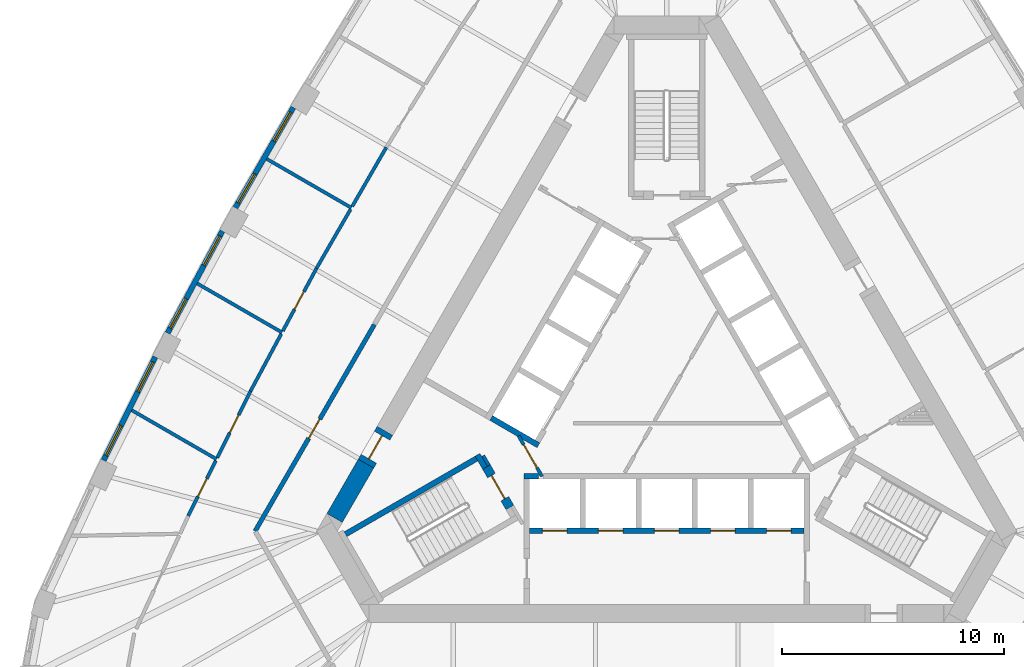
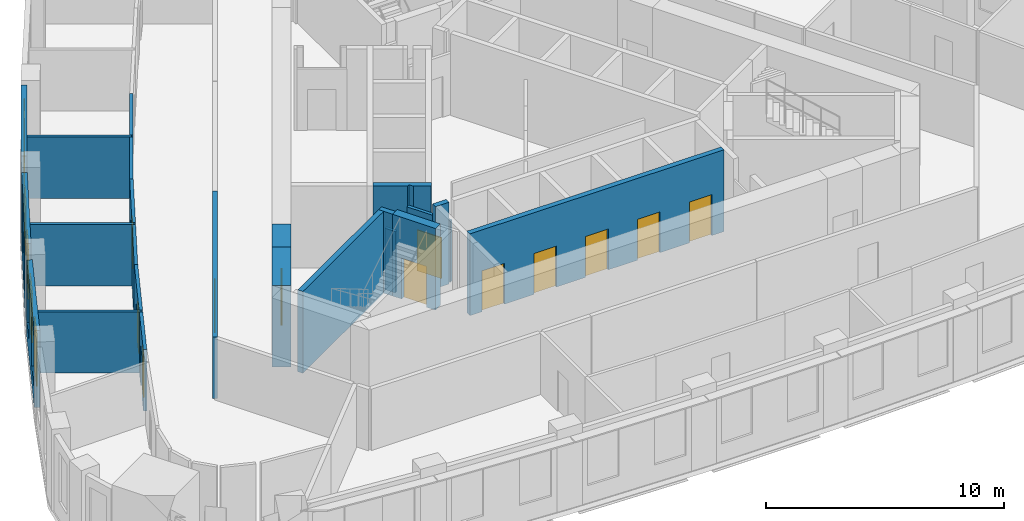
# One storey, part 4 of 11: 23 walls, 12 doors, 6 windows, 18 openings.
"""IFC4 building model written with IfcOpenShell, lengths in metres."""

from ifc_helpers import new_model, si_unit, direction, frame, frame_2d, origin, place, context, subcontext, project, spatial, polyline, rectangle, outline, extrude, material, layer, layer_set, type_object, element, fill, save


model = new_model("IFC4")

# Units and contexts
model_context = context("Model", 3, precision=1e-05, world=origin(), true_north=direction((0.0, 1.0)))
body_context = subcontext(model_context, "Body", "Model", "MODEL_VIEW")
ifc_project = project(units=[si_unit("LENGTHUNIT", "METRE"), si_unit("AREAUNIT", "SQUARE_METRE"), si_unit("VOLUMEUNIT", "CUBIC_METRE"), si_unit("PLANEANGLEUNIT", "RADIAN"), si_unit("MASSUNIT", "GRAM", prefix="KILO")], contexts=[model_context])

# Site, building, storey
site_placement = place(None, origin())
site = spatial("IfcSite", under=ifc_project, at=site_placement, CompositionType="ELEMENT")
building_placement = place(site_placement, origin())
building = spatial("IfcBuilding", under=site, at=building_placement, Name="Mestral Congress Tower", CompositionType="ELEMENT")
storey_placement = place(building_placement, frame((0.0, 0.0, 171.0)))
storey = spatial("IfcBuildingStorey", under=building, at=storey_placement, Name="L40", CompositionType="ELEMENT", Elevation=171.0)

# Wall
ifc_material_1 = material(Name="Fire-rated board partition")
ifc_layer_1 = layer(ifc_material_1, 0.14990234375)
ifc_layer_set_1 = layer_set([ifc_layer_1], Name="Fire-rated board partition")
wall_type_1 = type_object("IfcWallType", Name="Core partition 150", PredefinedType="PARTITIONING", material=ifc_layer_set_1)
wall_1_placement = place(storey_placement, frame((-8.251953125, -2.958251953125, 0.0), z_axis=(0.0, 0.0, 1.0), x_axis=(0.500174715838, -0.865924508047, 0.0)))
element("IfcWall", 1, at=wall_1_placement, inside=storey, type_object=wall_type_1, Name="L40 core wall", PredefinedType="PARTITIONING", context=body_context, shape_type="SweptSolid", body=[
    extrude(rectangle(XDim=0.513916015625, YDim=0.14990234375, at=frame_2d((0.2568359375, 0.0))), origin(), (0.0, 0.0, 1.0), 3.14990234375),
])

# Wall, opening, door
wall_2_placement = place(storey_placement, frame((-5.606201171875, -3.8896484375, 0.0), z_axis=(0.0, 0.0, 1.0), x_axis=(-0.500027713859, 0.866009402589, 0.0)))
wall_2 = element("IfcWall", 2, at=wall_2_placement, inside=storey, type_object=wall_type_1, Name="L40 door wall", PredefinedType="PARTITIONING", context=body_context, shape_type="SweptSolid", body=[
    extrude(rectangle(XDim=2.10009765625, YDim=0.14990234375, at=frame_2d((1.050048828125, 0.0))), origin(), (0.0, 0.0, 1.0), 3.14990234375),
])
opening_1_placement = place(wall_2_placement, frame((0.449951171875, 0.0, 0.0)))
opening_1 = element("IfcOpeningElement", 3, at=opening_1_placement, cuts=wall_2, Name="Opening CD3-FF", PredefinedType="OPENING", context=body_context, shape_type="SweptSolid", body=[
    extrude(rectangle(XDim=1.199951171875, YDim=2.10009765625, at=frame_2d((0.60009765625, 1.050048828125))), frame((0.0, 0.0849609375, 0.0), z_axis=(0.0, -1.0, 0.0), x_axis=(1.0, 0.0, 0.0)), (0.0, 0.0, 1.0), 0.169921875),
])
ifc_material_2 = material(Name="Fire-rated steel door set", Category="steel")
door_type_1 = type_object("IfcDoorType", Name="Core door CD 1200x2100", OperationType="SINGLE_SWING_LEFT", PredefinedType="DOOR", material=ifc_material_2)
door_1_placement = place(opening_1_placement, origin())
door_1 = element("IfcDoor", 4, at=door_1_placement, inside=storey, type_object=door_type_1, Name="Door CD3-FF", OperationType="SINGLE_SWING_LEFT", OverallHeight=2.10009765625, OverallWidth=1.199951171875, PredefinedType="DOOR", context=body_context, shape_type="SweptSolid", body=[
    extrude(rectangle(XDim=1.199951171875, YDim=2.10009765625, at=frame_2d((0.60009765625, 1.050048828125))), frame((0.0, 0.02490234375, 0.0), z_axis=(0.0, -1.0, 0.0), x_axis=(1.0, 0.0, 0.0)), (0.0, 0.0, 1.0), 0.050048828125),
])
fill(opening_1, door_1)

# Wall
ifc_material_3 = material(Name="Concrete C60/75", Category="concrete")
ifc_layer_2 = layer(ifc_material_3, 0.800048828125)
ifc_layer_set_2 = layer_set([ifc_layer_2], Name="Concrete C60/75")
wall_type_2 = type_object("IfcWallType", Name="Core wall RC 800", PredefinedType="SOLIDWALL", material=ifc_layer_set_2)
wall_3_placement = place(storey_placement, frame((-13.518310546875, -3.314208984375, 0.0), z_axis=(0.0, 0.0, 1.0), x_axis=(-0.499969377405, -0.866043083026, 0.0)))
element("IfcWall", 5, at=wall_3_placement, inside=storey, type_object=wall_type_2, Name="L40 core wall", PredefinedType="SOLIDWALL", context=body_context, shape_type="SweptSolid", body=[
    extrude(rectangle(XDim=2.824462890625, YDim=0.800048828125, at=frame_2d((1.412109375, 0.0))), origin(), (0.0, 0.0, 1.0), 4.199951171875),
])

# Wall, opening, door
wall_4_placement = place(storey_placement, frame((-13.518310546875, -3.314208984375, 0.0), z_axis=(0.0, 0.0, 1.0), x_axis=(0.500000056704, 0.866025371046, 0.0)))
wall_4 = element("IfcWall", 6, at=wall_4_placement, inside=storey, type_object=wall_type_2, Name="L40 door wall", PredefinedType="SOLIDWALL", context=body_context, shape_type="SweptSolid", body=[
    extrude(rectangle(XDim=1.7001953125, YDim=0.800048828125, at=frame_2d((0.85009765625, 0.0))), origin(), (0.0, 0.0, 1.0), 4.199951171875),
])
opening_2_placement = place(wall_4_placement, frame((0.25, 0.0, 0.0)))
opening_2 = element("IfcOpeningElement", 7, at=opening_2_placement, cuts=wall_4, Name="Opening XD3", PredefinedType="OPENING", context=body_context, shape_type="SweptSolid", body=[
    extrude(rectangle(XDim=1.199951171875, YDim=2.10009765625, at=frame_2d((0.60009765625, 1.050048828125))), frame((0.0, 0.409912109375, 0.0), z_axis=(0.0, -1.0, 0.0), x_axis=(1.0, 0.0, 0.0)), (0.0, 0.0, 1.0), 0.820068359375),
])
door_type_2 = type_object("IfcDoorType", Name="Core door XD 1200x2100", OperationType="SINGLE_SWING_LEFT", PredefinedType="DOOR", material=ifc_material_2)
door_2_placement = place(opening_2_placement, origin())
door_2 = element("IfcDoor", 8, at=door_2_placement, inside=storey, type_object=door_type_2, Name="Door XD3", OperationType="SINGLE_SWING_LEFT", OverallHeight=2.10009765625, OverallWidth=1.199951171875, PredefinedType="DOOR", context=body_context, shape_type="SweptSolid", body=[
    extrude(rectangle(XDim=1.199951171875, YDim=2.10009765625, at=frame_2d((0.60009765625, 1.050048828125))), frame((0.0, 0.02490234375, 0.0), z_axis=(0.0, -1.0, 0.0), x_axis=(1.0, 0.0, 0.0)), (0.0, 0.0, 1.0), 0.050048828125),
])
fill(opening_2, door_2)

# Wall, openings, windows
ifc_material_4 = material(Name="Precast concrete C40/50 with limestone facing", Category="masonry")
ifc_layer_3 = layer(ifc_material_4, 0.239990234375)
ifc_layer_set_3 = layer_set([ifc_layer_3], Name="Precast concrete C40/50 with limestone facing")
wall_type_3 = type_object("IfcWallType", Name="Facade stone wall 240", PredefinedType="SOLIDWALL", material=ifc_layer_set_3)
wall_5_placement = place(storey_placement, frame((-16.788818359375, 12.697265625, 0.0), z_axis=(0.0, 0.0, 1.0), x_axis=(-0.500009456303, -0.866019944116, 0.0)))
wall_5 = element("IfcWall", 9, at=wall_5_placement, inside=storey, type_object=wall_type_3, Name="Facade wall F2-03", PredefinedType="SOLIDWALL", context=body_context, shape_type="SweptSolid", body=[
    extrude(rectangle(XDim=5.20361328125, YDim=0.239990234375, at=frame_2d((2.601806640625, 0.0))), origin(), (0.0, 0.0, 1.0), 3.949951171875),
])
opening_3_placement = place(wall_5_placement, frame((0.248291015625, 0.0, 0.89990234375)))
opening_3 = element("IfcOpeningElement", 10, at=opening_3_placement, cuts=wall_5, Name="Opening W4", PredefinedType="OPENING", context=body_context, shape_type="SweptSolid", body=[
    extrude(rectangle(XDim=1.5, YDim=2.550048828125, at=frame_2d((0.75, 1.27490234375))), frame((0.0, 0.1298828125, 0.0), z_axis=(0.0, -1.0, 0.0), x_axis=(1.0, 0.0, 0.0)), (0.0, 0.0, 1.0), 0.260009765625),
])
opening_4_placement = place(wall_5_placement, frame((3.455078125, 0.0, 0.89990234375)))
opening_4 = element("IfcOpeningElement", 11, at=opening_4_placement, cuts=wall_5, Name="Opening W4", PredefinedType="OPENING", context=body_context, shape_type="SweptSolid", body=[
    extrude(rectangle(XDim=1.5, YDim=2.550048828125, at=frame_2d((0.75, 1.27490234375))), frame((0.0, 0.1298828125, 0.0), z_axis=(0.0, -1.0, 0.0), x_axis=(1.0, 0.0, 0.0)), (0.0, 0.0, 1.0), 0.260009765625),
])
ifc_material_5 = material(Name="Clear low-emissivity double glazing", Category="glass")
window_type = type_object("IfcWindowType", Name="Facade punched window 1500 x 2550 sill 900", PartitioningType="SINGLE_PANEL", PredefinedType="WINDOW", material=ifc_material_5)
window_1_placement = place(opening_3_placement, origin())
window_1 = element("IfcWindow", 12, at=window_1_placement, inside=storey, type_object=window_type, Name="Window F2-03a", OverallHeight=2.550048828125, OverallWidth=1.5, PartitioningType="SINGLE_PANEL", PredefinedType="WINDOW", context=body_context, shape_type="SweptSolid", body=[
    extrude(rectangle(XDim=1.5, YDim=2.550048828125, at=frame_2d((0.75, 1.27490234375))), frame((0.0, 0.0400390625, 0.0), z_axis=(0.0, -1.0, 0.0), x_axis=(1.0, 0.0, 0.0)), (0.0, 0.0, 1.0), 0.06005859375),
])
fill(opening_3, window_1)
window_2_placement = place(opening_4_placement, origin())
window_2 = element("IfcWindow", 13, at=window_2_placement, inside=storey, type_object=window_type, Name="Window F2-03b", OverallHeight=2.550048828125, OverallWidth=1.5, PartitioningType="SINGLE_PANEL", PredefinedType="WINDOW", context=body_context, shape_type="SweptSolid", body=[
    extrude(rectangle(XDim=1.5, YDim=2.550048828125, at=frame_2d((0.75, 1.27490234375))), frame((0.0, 0.0400390625, 0.0), z_axis=(0.0, -1.0, 0.0), x_axis=(1.0, 0.0, 0.0)), (0.0, 0.0, 1.0), 0.06005859375),
])
fill(opening_4, window_2)

wall_6_placement = place(storey_placement, frame((-19.976806640625, 7.138671875, 0.0), z_axis=(0.0, 0.0, 1.0), x_axis=(-0.473349833294, -0.880874528704, 0.0)))
wall_6 = element("IfcWall", 14, at=wall_6_placement, inside=storey, type_object=wall_type_3, Name="Facade wall F2-04", PredefinedType="SOLIDWALL", context=body_context, shape_type="SweptSolid", body=[
    extrude(rectangle(XDim=5.20361328125, YDim=0.239990234375, at=frame_2d((2.601806640625, 0.0))), origin(), (0.0, 0.0, 1.0), 3.949951171875),
])
opening_5_placement = place(wall_6_placement, frame((0.248291015625, 0.0, 0.89990234375)))
opening_5 = element("IfcOpeningElement", 15, at=opening_5_placement, cuts=wall_6, Name="Opening W4", PredefinedType="OPENING", context=body_context, shape_type="SweptSolid", body=[
    extrude(rectangle(XDim=1.5, YDim=2.550048828125, at=frame_2d((0.75, 1.27490234375))), frame((0.0, 0.1298828125, 0.0), z_axis=(0.0, -1.0, 0.0), x_axis=(1.0, 0.0, 0.0)), (0.0, 0.0, 1.0), 0.260009765625),
])
opening_6_placement = place(wall_6_placement, frame((3.455078125, 0.0, 0.89990234375)))
opening_6 = element("IfcOpeningElement", 16, at=opening_6_placement, cuts=wall_6, Name="Opening W4", PredefinedType="OPENING", context=body_context, shape_type="SweptSolid", body=[
    extrude(rectangle(XDim=1.5, YDim=2.550048828125, at=frame_2d((0.75, 1.27490234375))), frame((0.0, 0.1298828125, 0.0), z_axis=(0.0, -1.0, 0.0), x_axis=(1.0, 0.0, 0.0)), (0.0, 0.0, 1.0), 0.260009765625),
])
window_3_placement = place(opening_5_placement, origin())
window_3 = element("IfcWindow", 17, at=window_3_placement, inside=storey, type_object=window_type, Name="Window F2-04a", OverallHeight=2.550048828125, OverallWidth=1.5, PartitioningType="SINGLE_PANEL", PredefinedType="WINDOW", context=body_context, shape_type="SweptSolid", body=[
    extrude(rectangle(XDim=1.5, YDim=2.550048828125, at=frame_2d((0.75, 1.27490234375))), frame((0.0, 0.0400390625, 0.0), z_axis=(0.0, -1.0, 0.0), x_axis=(1.0, 0.0, 0.0)), (0.0, 0.0, 1.0), 0.06005859375),
])
fill(opening_5, window_3)
window_4_placement = place(opening_6_placement, origin())
window_4 = element("IfcWindow", 18, at=window_4_placement, inside=storey, type_object=window_type, Name="Window F2-04b", OverallHeight=2.550048828125, OverallWidth=1.5, PartitioningType="SINGLE_PANEL", PredefinedType="WINDOW", context=body_context, shape_type="SweptSolid", body=[
    extrude(rectangle(XDim=1.5, YDim=2.550048828125, at=frame_2d((0.75, 1.27490234375))), frame((0.0, 0.0400390625, 0.0), z_axis=(0.0, -1.0, 0.0), x_axis=(1.0, 0.0, 0.0)), (0.0, 0.0, 1.0), 0.06005859375),
])
fill(opening_6, window_4)

wall_7_placement = place(storey_placement, frame((-22.993896484375, 1.485107421875, 0.0), z_axis=(0.0, 0.0, 1.0), x_axis=(-0.446256171312, -0.8949052629, 0.0)))
wall_7 = element("IfcWall", 19, at=wall_7_placement, inside=storey, type_object=wall_type_3, Name="Facade wall F2-05", PredefinedType="SOLIDWALL", context=body_context, shape_type="SweptSolid", body=[
    extrude(rectangle(XDim=5.203369140625, YDim=0.239990234375, at=frame_2d((2.6015625, 0.0))), origin(), (0.0, 0.0, 1.0), 3.949951171875),
])
opening_7_placement = place(wall_7_placement, frame((0.248291015625, 0.0, 0.89990234375)))
opening_7 = element("IfcOpeningElement", 20, at=opening_7_placement, cuts=wall_7, Name="Opening W4", PredefinedType="OPENING", context=body_context, shape_type="SweptSolid", body=[
    extrude(rectangle(XDim=1.5, YDim=2.550048828125, at=frame_2d((0.75, 1.27490234375))), frame((0.0, 0.1298828125, 0.0), z_axis=(0.0, -1.0, 0.0), x_axis=(1.0, 0.0, 0.0)), (0.0, 0.0, 1.0), 0.260009765625),
])
opening_8_placement = place(wall_7_placement, frame((3.455078125, 0.0, 0.89990234375)))
opening_8 = element("IfcOpeningElement", 21, at=opening_8_placement, cuts=wall_7, Name="Opening W4", PredefinedType="OPENING", context=body_context, shape_type="SweptSolid", body=[
    extrude(rectangle(XDim=1.5, YDim=2.550048828125, at=frame_2d((0.75, 1.27490234375))), frame((0.0, 0.1298828125, 0.0), z_axis=(0.0, -1.0, 0.0), x_axis=(1.0, 0.0, 0.0)), (0.0, 0.0, 1.0), 0.260009765625),
])
window_5_placement = place(opening_7_placement, origin())
window_5 = element("IfcWindow", 22, at=window_5_placement, inside=storey, type_object=window_type, Name="Window F2-05a", OverallHeight=2.550048828125, OverallWidth=1.5, PartitioningType="SINGLE_PANEL", PredefinedType="WINDOW", context=body_context, shape_type="SweptSolid", body=[
    extrude(rectangle(XDim=1.5, YDim=2.550048828125, at=frame_2d((0.75, 1.27490234375))), frame((0.0, 0.0400390625, 0.0), z_axis=(0.0, -1.0, 0.0), x_axis=(1.0, 0.0, 0.0)), (0.0, 0.0, 1.0), 0.06005859375),
])
fill(opening_7, window_5)
window_6_placement = place(opening_8_placement, origin())
window_6 = element("IfcWindow", 23, at=window_6_placement, inside=storey, type_object=window_type, Name="Window F2-05b", OverallHeight=2.550048828125, OverallWidth=1.5, PartitioningType="SINGLE_PANEL", PredefinedType="WINDOW", context=body_context, shape_type="SweptSolid", body=[
    extrude(rectangle(XDim=1.5, YDim=2.550048828125, at=frame_2d((0.75, 1.27490234375))), frame((0.0, 0.0400390625, 0.0), z_axis=(0.0, -1.0, 0.0), x_axis=(1.0, 0.0, 0.0)), (0.0, 0.0, 1.0), 0.06005859375),
])
fill(opening_8, window_6)

# Walls
ifc_material_6 = material(Name="Plasterboard partition on steel studs", Category="steel")
ifc_layer_4 = layer(ifc_material_6, 0.14990234375)
ifc_layer_set_4 = layer_set([ifc_layer_4], Name="Plasterboard partition on steel studs")
wall_type_4 = type_object("IfcWallType", Name="Office partition 150", PredefinedType="PARTITIONING", material=ifc_layer_set_4)
wall_8_placement = place(storey_placement, frame((-14.17529296875, 8.18408203125, 0.0), z_axis=(0.0, 0.0, 1.0), x_axis=(-0.866032203192, 0.499988222896, 0.0)))
element("IfcWall", 24, at=wall_8_placement, inside=storey, type_object=wall_type_4, Name="Partition", PredefinedType="PARTITIONING", context=body_context, shape_type="SweptSolid", body=[
    extrude(rectangle(XDim=4.39990234375, YDim=0.14990234375, at=frame_2d((2.199951171875, 0.0))), origin(), (0.0, 0.0, 1.0), 3.14990234375),
])
wall_9_placement = place(storey_placement, frame((-12.607666015625, 10.899169921875, 0.0), z_axis=(0.0, 0.0, 1.0), x_axis=(-0.499991792115, -0.866030142557, 0.0)))
element("IfcWall", 25, at=wall_9_placement, inside=storey, type_object=wall_type_4, Name="Partition", PredefinedType="PARTITIONING", context=body_context, shape_type="SweptSolid", body=[
    extrude(rectangle(XDim=3.06005859375, YDim=0.14990234375, at=frame_2d((1.530029296875, 0.0))), origin(), (0.0, 0.0, 1.0), 3.14990234375),
])
wall_10_placement = place(storey_placement, frame((-17.294677734375, 2.5810546875, 0.0), z_axis=(0.0, 0.0, 1.0), x_axis=(-0.866033195618, 0.499986503906, 0.0)))
element("IfcWall", 26, at=wall_10_placement, inside=storey, type_object=wall_type_4, Name="Partition", PredefinedType="PARTITIONING", context=body_context, shape_type="SweptSolid", body=[
    extrude(rectangle(XDim=4.40185546875, YDim=0.14990234375, at=frame_2d((2.200927734375, 0.0))), origin(), (0.0, 0.0, 1.0), 3.14990234375),
])
wall_11_placement = place(storey_placement, frame((-14.212890625, 8.119140625, 0.0), z_axis=(0.0, 0.0, 1.0), x_axis=(-0.499991792115, -0.866030142557, 0.0)))
element("IfcWall", 27, at=wall_11_placement, inside=storey, type_object=wall_type_4, Name="Partition", PredefinedType="PARTITIONING", context=body_context, shape_type="SweptSolid", body=[
    extrude(rectangle(XDim=3.06005859375, YDim=0.14990234375, at=frame_2d((1.530029296875, 0.0))), origin(), (0.0, 0.0, 1.0), 3.14990234375),
])

# Wall, opening, door
wall_12_placement = place(storey_placement, frame((-17.259033203125, 2.647216796875, 0.0), z_axis=(0.0, 0.0, 1.0), x_axis=(0.473299711777, 0.880901460341, 0.0)))
wall_12 = element("IfcWall", 28, at=wall_12_placement, inside=storey, type_object=wall_type_4, Name="Partition", PredefinedType="PARTITIONING", context=body_context, shape_type="SweptSolid", body=[
    extrude(rectangle(XDim=3.203369140625, YDim=0.14990234375, at=frame_2d((1.6015625, 0.0))), origin(), (0.0, 0.0, 1.0), 3.14990234375),
])
opening_9_placement = place(wall_12_placement, frame((1.103515625, 0.0, 0.0)))
opening_9 = element("IfcOpeningElement", 29, at=opening_9_placement, cuts=wall_12, Name="Opening O03-017", PredefinedType="OPENING", context=body_context, shape_type="SweptSolid", body=[
    extrude(rectangle(XDim=0.89990234375, YDim=2.10009765625, at=frame_2d((0.449951171875, 1.050048828125))), frame((0.0, 0.0849609375, 0.0), z_axis=(0.0, -1.0, 0.0), x_axis=(1.0, 0.0, 0.0)), (0.0, 0.0, 1.0), 0.169921875),
])
ifc_material_7 = material(Name="Timber door set", Category="wood")
door_type_3 = type_object("IfcDoorType", Name="Office door 900x2100", OperationType="SINGLE_SWING_LEFT", PredefinedType="DOOR", material=ifc_material_7)
door_3_placement = place(opening_9_placement, origin())
door_3 = element("IfcDoor", 30, at=door_3_placement, inside=storey, type_object=door_type_3, Name="Door O03-017", OperationType="SINGLE_SWING_LEFT", OverallHeight=2.10009765625, OverallWidth=0.89990234375, PredefinedType="DOOR", context=body_context, shape_type="SweptSolid", body=[
    extrude(rectangle(XDim=0.89990234375, YDim=2.10009765625, at=frame_2d((0.449951171875, 1.050048828125))), frame((0.0, 0.02490234375, 0.0), z_axis=(0.0, -1.0, 0.0), x_axis=(1.0, 0.0, 0.0)), (0.0, 0.0, 1.0), 0.050048828125),
])
fill(opening_9, door_3)

# Walls
wall_13_placement = place(storey_placement, frame((-20.23779296875, -3.11669921875, 0.0), z_axis=(0.0, 0.0, 1.0), x_axis=(-0.866026031126, 0.499998913411, 0.0)))
element("IfcWall", 31, at=wall_13_placement, inside=storey, type_object=wall_type_4, Name="Partition", PredefinedType="PARTITIONING", context=body_context, shape_type="SweptSolid", body=[
    extrude(rectangle(XDim=4.408203125, YDim=0.14990234375, at=frame_2d((2.2041015625, 0.0))), origin(), (0.0, 0.0, 1.0), 3.14990234375),
])
wall_14_placement = place(storey_placement, frame((-17.330078125, 2.514892578125, 0.0), z_axis=(0.0, 0.0, 1.0), x_axis=(-0.473335958085, -0.880881984595, 0.0)))
element("IfcWall", 32, at=wall_14_placement, inside=storey, type_object=wall_type_4, Name="Partition", PredefinedType="PARTITIONING", context=body_context, shape_type="SweptSolid", body=[
    extrude(rectangle(XDim=2.916748046875, YDim=0.14990234375, at=frame_2d((1.45849609375, 0.0))), origin(), (0.0, 0.0, 1.0), 3.14990234375),
])

# Wall, opening, door
wall_15_placement = place(storey_placement, frame((-20.2041015625, -3.04931640625, 0.0), z_axis=(0.0, 0.0, 1.0), x_axis=(0.446250363478, 0.894908159029, 0.0)))
wall_15 = element("IfcWall", 33, at=wall_15_placement, inside=storey, type_object=wall_type_4, Name="Partition", PredefinedType="PARTITIONING", context=body_context, shape_type="SweptSolid", body=[
    extrude(rectangle(XDim=3.3466796875, YDim=0.14990234375, at=frame_2d((1.67333984375, 0.0))), origin(), (0.0, 0.0, 1.0), 3.14990234375),
])
opening_10_placement = place(wall_15_placement, frame((1.24658203125, 0.0, 0.0)))
opening_10 = element("IfcOpeningElement", 34, at=opening_10_placement, cuts=wall_15, Name="Opening O03-018", PredefinedType="OPENING", context=body_context, shape_type="SweptSolid", body=[
    extrude(rectangle(XDim=0.89990234375, YDim=2.10009765625, at=frame_2d((0.449951171875, 1.050048828125))), frame((0.0, 0.0849609375, 0.0), z_axis=(0.0, -1.0, 0.0), x_axis=(1.0, 0.0, 0.0)), (0.0, 0.0, 1.0), 0.169921875),
])
door_4_placement = place(opening_10_placement, origin())
door_4 = element("IfcDoor", 35, at=door_4_placement, inside=storey, type_object=door_type_3, Name="Door O03-018", OperationType="SINGLE_SWING_RIGHT", OverallHeight=2.10009765625, OverallWidth=0.89990234375, PredefinedType="DOOR", context=body_context, shape_type="SweptSolid", body=[
    extrude(rectangle(XDim=0.89990234375, YDim=2.10009765625, at=frame_2d((0.449951171875, 1.050048828125))), frame((0.0, 0.02490234375, 0.0), z_axis=(0.0, -1.0, 0.0), x_axis=(1.0, 0.0, 0.0)), (0.0, 0.0, 1.0), 0.050048828125),
])
fill(opening_10, door_4)

wall_16_placement = place(storey_placement, frame((-21.5087890625, -5.666015625, 0.0), z_axis=(0.0, 0.0, 1.0), x_axis=(0.446192228952, 0.894937145739, 0.0)))
wall_16 = element("IfcWall", 36, at=wall_16_placement, inside=storey, type_object=wall_type_4, Name="Partition", PredefinedType="PARTITIONING", context=body_context, shape_type="SweptSolid", body=[
    extrude(rectangle(XDim=2.773681640625, YDim=0.14990234375, at=frame_2d((1.38671875, 0.0))), origin(), (0.0, 0.0, 1.0), 3.14990234375),
])
opening_11_placement = place(wall_16_placement, frame((0.973388671875, 0.0, 0.0)))
opening_11 = element("IfcOpeningElement", 37, at=opening_11_placement, cuts=wall_16, Name="Opening O03-019", PredefinedType="OPENING", context=body_context, shape_type="SweptSolid", body=[
    extrude(rectangle(XDim=0.89990234375, YDim=2.10009765625, at=frame_2d((0.449951171875, 1.050048828125))), frame((0.0, 0.0849609375, 0.0), z_axis=(0.0, -1.0, 0.0), x_axis=(1.0, 0.0, 0.0)), (0.0, 0.0, 1.0), 0.169921875),
])
door_5_placement = place(opening_11_placement, origin())
door_5 = element("IfcDoor", 38, at=door_5_placement, inside=storey, type_object=door_type_3, Name="Door O03-019", OperationType="SINGLE_SWING_RIGHT", OverallHeight=2.10009765625, OverallWidth=0.89990234375, PredefinedType="DOOR", context=body_context, shape_type="SweptSolid", body=[
    extrude(rectangle(XDim=0.89990234375, YDim=2.10009765625, at=frame_2d((0.449951171875, 1.050048828125))), frame((0.0, 0.02490234375, 0.0), z_axis=(0.0, -1.0, 0.0), x_axis=(1.0, 0.0, 0.0)), (0.0, 0.0, 1.0), 0.050048828125),
])
fill(opening_11, door_5)

ifc_material_8 = material(Name="Dense masonry wall, plastered", Category="masonry")
ifc_layer_5 = layer(ifc_material_8, 0.199951171875)
ifc_layer_set_5 = layer_set([ifc_layer_5], Name="Dense masonry wall, plastered")
wall_type_5 = type_object("IfcWallType", Name="Office tenancy wall 200", PredefinedType="PARTITIONING", material=ifc_layer_set_5)
wall_17_placement = place(storey_placement, frame((-13.1455078125, 2.931396484375, 0.0), z_axis=(0.0, 0.0, 1.0), x_axis=(-0.499997861235, -0.866026638597, 0.0)))
wall_17 = element("IfcWall", 39, at=wall_17_placement, inside=storey, type_object=wall_type_5, Name="Tenancy wall", PredefinedType="PARTITIONING", context=body_context, shape_type="SweptSolid", body=[
    extrude(rectangle(XDim=10.71728515625, YDim=0.199951171875, at=frame_2d((5.358642578125, 0.0))), origin(), (0.0, 0.0, 1.0), 3.14990234375),
])
opening_12_placement = place(wall_17_placement, frame((4.89990234375, 0.0, 0.0)))
opening_12 = element("IfcOpeningElement", 40, at=opening_12_placement, cuts=wall_17, Name="Opening O03-020", PredefinedType="OPENING", context=body_context, shape_type="SweptSolid", body=[
    extrude(rectangle(XDim=1.0, YDim=2.10009765625, at=frame_2d((0.5, 1.050048828125))), frame((0.0, 0.10986328125, 0.0), z_axis=(0.0, -1.0, 0.0), x_axis=(1.0, 0.0, 0.0)), (0.0, 0.0, 1.0), 0.219970703125),
])
ifc_material_9 = material(Name="Fire-rated timber door set", Category="wood")
door_type_4 = type_object("IfcDoorType", Name="Office tenancy entrance door 1000x2100", OperationType="SINGLE_SWING_LEFT", PredefinedType="DOOR", material=ifc_material_9)
door_6_placement = place(opening_12_placement, origin())
door_6 = element("IfcDoor", 41, at=door_6_placement, inside=storey, type_object=door_type_4, Name="Door O03-020", OperationType="SINGLE_SWING_RIGHT", OverallHeight=2.10009765625, OverallWidth=1.0, PredefinedType="DOOR", context=body_context, shape_type="SweptSolid", body=[
    extrude(rectangle(XDim=1.0, YDim=2.10009765625, at=frame_2d((0.5, 1.050048828125))), frame((0.0, 0.02490234375, 0.0), z_axis=(0.0, -1.0, 0.0), x_axis=(1.0, 0.0, 0.0)), (0.0, 0.0, 1.0), 0.050048828125),
])
fill(opening_12, door_6)

# Walls
ifc_layer_6 = layer(ifc_material_3, 0.25)
ifc_layer_set_6 = layer_set([ifc_layer_6], Name="Concrete C60/75")
wall_type_6 = type_object("IfcWallType", Name="Shaft wall RC 250", PredefinedType="SOLIDWALL", material=ifc_layer_set_6)
wall_18_placement = place(storey_placement, frame((-6.425048828125, -3.875, 0.0), z_axis=(0.0, 0.0, 1.0), x_axis=(1.0, 0.0, 0.0)))
element("IfcWall", 42, at=wall_18_placement, inside=storey, type_object=wall_type_6, Name="L40 core wall", PredefinedType="SOLIDWALL", context=body_context, shape_type="SweptSolid", body=[
    extrude(rectangle(XDim=0.657958984375, YDim=0.25, at=frame_2d((0.3291015625, 0.0))), origin(), (0.0, 0.0, 1.0), 4.199951171875),
])
wall_19_placement = place(storey_placement, origin())
element("IfcWall", 43, at=wall_19_placement, inside=storey, type_object=wall_type_6, Name="L40 core wall", PredefinedType="SOLIDWALL", context=body_context, shape_type="SweptSolid", body=[
    extrude(outline(polyline([(-5.921630859375, -2.256591796875), (-5.921630859375, -2.256591796875), (-5.705078125, -2.381591796875), (-5.830078125, -2.597900390625), (-6.48291015625, -2.22119140625), (-6.59130859375, -2.033447265625), (-6.59130859375, -2.033447265625), (-6.69970703125, -2.095947265625), (-7.951904296875, -1.373046875), (-7.826904296875, -1.156494140625), (-5.921630859375, -2.256591796875)])), origin(), (0.0, 0.0, 1.0), 4.199951171875),
])

# Wall, openings, doors
wall_20_placement = place(storey_placement, frame((-6.175048828125, -6.324951171875, 0.0), z_axis=(0.0, 0.0, 1.0), x_axis=(1.0, 0.0, 0.0)))
wall_20 = element("IfcWall", 44, at=wall_20_placement, inside=storey, type_object=wall_type_6, Name="L40 door wall", PredefinedType="SOLIDWALL", context=body_context, shape_type="SweptSolid", body=[
    extrude(rectangle(XDim=12.35009765625, YDim=0.25, at=frame_2d((6.175048828125, 0.0))), origin(), (0.0, 0.0, 1.0), 4.199951171875),
])
opening_13_placement = place(wall_20_placement, frame((0.5849609375, 0.0, 0.0)))
opening_13 = element("IfcOpeningElement", 45, at=opening_13_placement, cuts=wall_20, Name="Opening LD-SOB1", PredefinedType="OPENING", context=body_context, shape_type="SweptSolid", body=[
    extrude(rectangle(XDim=1.10009765625, YDim=2.10009765625, at=frame_2d((0.550048828125, 1.050048828125))), frame((0.0, 0.135009765625, 0.0), z_axis=(0.0, -1.0, 0.0), x_axis=(1.0, 0.0, 0.0)), (0.0, 0.0, 1.0), 0.27001953125),
])
opening_14_placement = place(wall_20_placement, frame((3.10498046875, 0.0, 0.0)))
opening_14 = element("IfcOpeningElement", 46, at=opening_14_placement, cuts=wall_20, Name="Opening LD-SOB2", PredefinedType="OPENING", context=body_context, shape_type="SweptSolid", body=[
    extrude(rectangle(XDim=1.10009765625, YDim=2.10009765625, at=frame_2d((0.550048828125, 1.050048828125))), frame((0.0, 0.135009765625, 0.0), z_axis=(0.0, -1.0, 0.0), x_axis=(1.0, 0.0, 0.0)), (0.0, 0.0, 1.0), 0.27001953125),
])
opening_15_placement = place(wall_20_placement, frame((5.625, 0.0, 0.0)))
opening_15 = element("IfcOpeningElement", 47, at=opening_15_placement, cuts=wall_20, Name="Opening LD-SOB3", PredefinedType="OPENING", context=body_context, shape_type="SweptSolid", body=[
    extrude(rectangle(XDim=1.10009765625, YDim=2.10009765625, at=frame_2d((0.550048828125, 1.050048828125))), frame((0.0, 0.135009765625, 0.0), z_axis=(0.0, -1.0, 0.0), x_axis=(1.0, 0.0, 0.0)), (0.0, 0.0, 1.0), 0.27001953125),
])
opening_16_placement = place(wall_20_placement, frame((8.14501953125, 0.0, 0.0)))
opening_16 = element("IfcOpeningElement", 48, at=opening_16_placement, cuts=wall_20, Name="Opening LD-SOB4", PredefinedType="OPENING", context=body_context, shape_type="SweptSolid", body=[
    extrude(rectangle(XDim=1.10009765625, YDim=2.10009765625, at=frame_2d((0.550048828125, 1.050048828125))), frame((0.0, 0.135009765625, 0.0), z_axis=(0.0, -1.0, 0.0), x_axis=(1.0, 0.0, 0.0)), (0.0, 0.0, 1.0), 0.27001953125),
])
opening_17_placement = place(wall_20_placement, frame((10.6650390625, 0.0, 0.0)))
opening_17 = element("IfcOpeningElement", 49, at=opening_17_placement, cuts=wall_20, Name="Opening LD-SOB5", PredefinedType="OPENING", context=body_context, shape_type="SweptSolid", body=[
    extrude(rectangle(XDim=1.10009765625, YDim=2.10009765625, at=frame_2d((0.550048828125, 1.050048828125))), frame((0.0, 0.135009765625, 0.0), z_axis=(0.0, -1.0, 0.0), x_axis=(1.0, 0.0, 0.0)), (0.0, 0.0, 1.0), 0.27001953125),
])
door_type_5 = type_object("IfcDoorType", Name="Core door LD 1100x2100", OperationType="DOUBLE_DOOR_SLIDING", PredefinedType="DOOR", material=ifc_material_2)
door_7_placement = place(opening_13_placement, origin())
door_7 = element("IfcDoor", 50, at=door_7_placement, inside=storey, type_object=door_type_5, Name="Door LD-SOB1", OperationType="DOUBLE_DOOR_SLIDING", OverallHeight=2.10009765625, OverallWidth=1.10009765625, PredefinedType="DOOR", context=body_context, shape_type="SweptSolid", body=[
    extrude(rectangle(XDim=1.10009765625, YDim=2.10009765625, at=frame_2d((0.550048828125, 1.050048828125))), frame((0.0, 0.02490234375, 0.0), z_axis=(0.0, -1.0, 0.0), x_axis=(1.0, 0.0, 0.0)), (0.0, 0.0, 1.0), 0.050048828125),
])
fill(opening_13, door_7)
door_8_placement = place(opening_14_placement, origin())
door_8 = element("IfcDoor", 51, at=door_8_placement, inside=storey, type_object=door_type_5, Name="Door LD-SOB2", OperationType="DOUBLE_DOOR_SLIDING", OverallHeight=2.10009765625, OverallWidth=1.10009765625, PredefinedType="DOOR", context=body_context, shape_type="SweptSolid", body=[
    extrude(rectangle(XDim=1.10009765625, YDim=2.10009765625, at=frame_2d((0.550048828125, 1.050048828125))), frame((0.0, 0.02490234375, 0.0), z_axis=(0.0, -1.0, 0.0), x_axis=(1.0, 0.0, 0.0)), (0.0, 0.0, 1.0), 0.050048828125),
])
fill(opening_14, door_8)
door_9_placement = place(opening_15_placement, origin())
door_9 = element("IfcDoor", 52, at=door_9_placement, inside=storey, type_object=door_type_5, Name="Door LD-SOB3", OperationType="DOUBLE_DOOR_SLIDING", OverallHeight=2.10009765625, OverallWidth=1.10009765625, PredefinedType="DOOR", context=body_context, shape_type="SweptSolid", body=[
    extrude(rectangle(XDim=1.10009765625, YDim=2.10009765625, at=frame_2d((0.550048828125, 1.050048828125))), frame((0.0, 0.02490234375, 0.0), z_axis=(0.0, -1.0, 0.0), x_axis=(1.0, 0.0, 0.0)), (0.0, 0.0, 1.0), 0.050048828125),
])
fill(opening_15, door_9)
door_10_placement = place(opening_16_placement, origin())
door_10 = element("IfcDoor", 53, at=door_10_placement, inside=storey, type_object=door_type_5, Name="Door LD-SOB4", OperationType="DOUBLE_DOOR_SLIDING", OverallHeight=2.10009765625, OverallWidth=1.10009765625, PredefinedType="DOOR", context=body_context, shape_type="SweptSolid", body=[
    extrude(rectangle(XDim=1.10009765625, YDim=2.10009765625, at=frame_2d((0.550048828125, 1.050048828125))), frame((0.0, 0.02490234375, 0.0), z_axis=(0.0, -1.0, 0.0), x_axis=(1.0, 0.0, 0.0)), (0.0, 0.0, 1.0), 0.050048828125),
])
fill(opening_16, door_10)
door_11_placement = place(opening_17_placement, origin())
door_11 = element("IfcDoor", 54, at=door_11_placement, inside=storey, type_object=door_type_5, Name="Door LD-SOB5", OperationType="DOUBLE_DOOR_SLIDING", OverallHeight=2.10009765625, OverallWidth=1.10009765625, PredefinedType="DOOR", context=body_context, shape_type="SweptSolid", body=[
    extrude(rectangle(XDim=1.10009765625, YDim=2.10009765625, at=frame_2d((0.550048828125, 1.050048828125))), frame((0.0, 0.02490234375, 0.0), z_axis=(0.0, -1.0, 0.0), x_axis=(1.0, 0.0, 0.0)), (0.0, 0.0, 1.0), 0.050048828125),
])
fill(opening_17, door_11)

# Walls
ifc_layer_7 = layer(ifc_material_3, 0.25)
ifc_layer_set_7 = layer_set([ifc_layer_7], Name="Concrete C60/75")
wall_type_7 = type_object("IfcWallType", Name="Stair wall RC 250", PredefinedType="SOLIDWALL", material=ifc_layer_set_7)
wall_21_placement = place(storey_placement, frame((-14.43994140625, -6.489501953125, 0.0), z_axis=(0.0, 0.0, 1.0), x_axis=(0.866022966069, 0.500004222222, 0.0)))
element("IfcWall", 55, at=wall_21_placement, inside=storey, type_object=wall_type_7, Name="L40 core wall", PredefinedType="SOLIDWALL", context=body_context, shape_type="SweptSolid", body=[
    extrude(rectangle(XDim=6.80029296875, YDim=0.25, at=frame_2d((3.400146484375, 0.0))), origin(), (0.0, 0.0, 1.0), 4.199951171875),
])
wall_22_placement = place(storey_placement, frame((-8.167724609375, -3.503173828125, 0.0), z_axis=(0.0, 0.0, 1.0), x_axis=(-0.499952099219, 0.866053057547, 0.0)))
element("IfcWall", 56, at=wall_22_placement, inside=storey, type_object=wall_type_7, Name="L40 core wall", PredefinedType="SOLIDWALL", context=body_context, shape_type="SweptSolid", body=[
    extrude(rectangle(XDim=0.6748046875, YDim=0.25, at=frame_2d((0.33740234375, 0.0))), origin(), (0.0, 0.0, 1.0), 4.199951171875),
])

# Wall, opening, door
ifc_layer_8 = layer(ifc_material_3, 0.39990234375)
ifc_layer_set_8 = layer_set([ifc_layer_8], Name="Concrete C60/75")
wall_type_8 = type_object("IfcWallType", Name="Stair wall RC 250 door-wall 400", PredefinedType="SOLIDWALL", material=ifc_layer_set_8)
wall_23_placement = place(storey_placement, frame((-8.102783203125, -3.4658203125, 0.0), z_axis=(0.0, 0.0, 1.0), x_axis=(0.500078061341, -0.865980330357, 0.0)))
wall_23 = element("IfcWall", 57, at=wall_23_placement, inside=storey, type_object=wall_type_8, Name="L40 door wall", PredefinedType="SOLIDWALL", context=body_context, shape_type="SweptSolid", body=[
    extrude(rectangle(XDim=2.099853515625, YDim=0.39990234375, at=frame_2d((1.0498046875, 0.0))), origin(), (0.0, 0.0, 1.0), 4.199951171875),
])
opening_18_placement = place(wall_23_placement, frame((0.449951171875, 0.0, 0.0)))
opening_18 = element("IfcOpeningElement", 58, at=opening_18_placement, cuts=wall_23, Name="Opening ST-D3", PredefinedType="OPENING", context=body_context, shape_type="SweptSolid", body=[
    extrude(rectangle(XDim=1.199951171875, YDim=2.10009765625, at=frame_2d((0.60009765625, 1.050048828125))), frame((0.0, 0.2099609375, 0.0), z_axis=(0.0, -1.0, 0.0), x_axis=(1.0, 0.0, 0.0)), (0.0, 0.0, 1.0), 0.419921875),
])
door_type_6 = type_object("IfcDoorType", Name="Core door ST 1200x2100", OperationType="SINGLE_SWING_LEFT", PredefinedType="DOOR", material=ifc_material_2)
door_12_placement = place(opening_18_placement, origin())
door_12 = element("IfcDoor", 59, at=door_12_placement, inside=storey, type_object=door_type_6, Name="Door ST-D3", OperationType="SINGLE_SWING_LEFT", OverallHeight=2.10009765625, OverallWidth=1.199951171875, PredefinedType="DOOR", context=body_context, shape_type="SweptSolid", body=[
    extrude(rectangle(XDim=1.199951171875, YDim=2.10009765625, at=frame_2d((0.60009765625, 1.050048828125))), frame((0.0, 0.02490234375, 0.0), z_axis=(0.0, -1.0, 0.0), x_axis=(1.0, 0.0, 0.0)), (0.0, 0.0, 1.0), 0.050048828125),
])
fill(opening_18, door_12)

save(model, "model.ifc")
